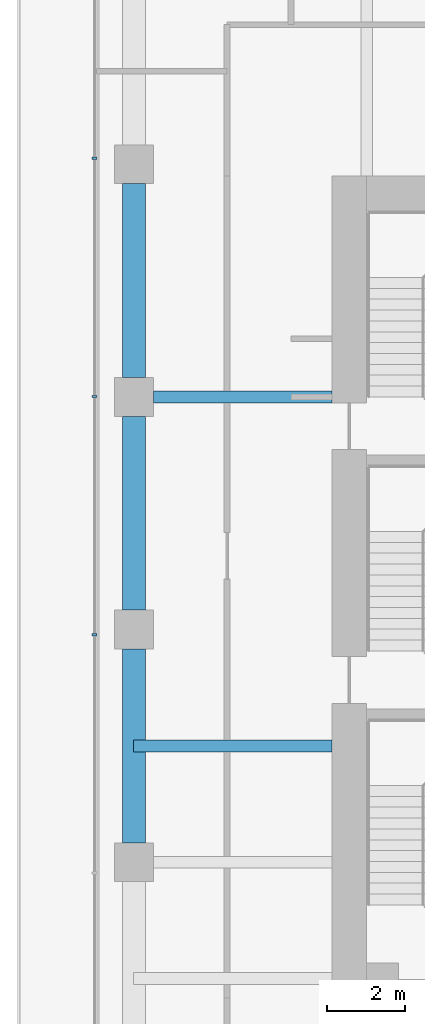
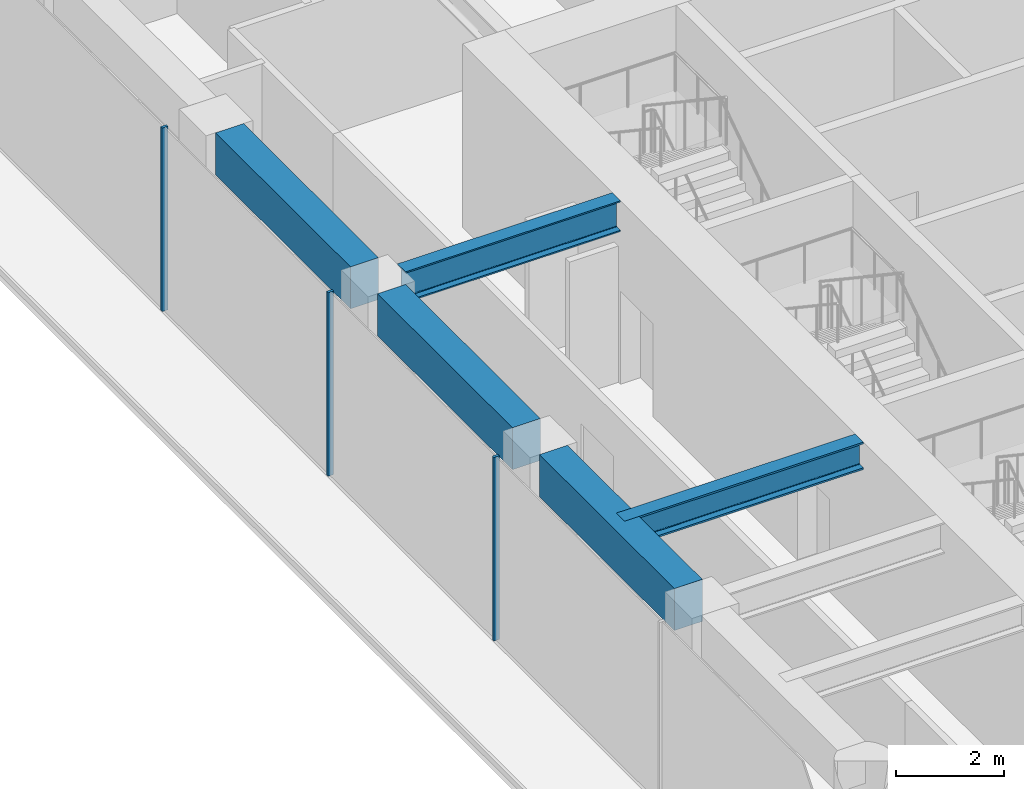
# One storey, part 4 of 24: 5 beams, 3 members, 1 element without a shape of its own.
"""IFC4 building model written with IfcOpenShell, lengths in metres."""

from ifc_helpers import new_model, si_unit, direction, frame, origin, origin_2d, place, context, subcontext, project, spatial, rectangle, i_section, extrude, material, layer, layer_set, material_profile, profile_set, type_object, element, aggregate, save


model = new_model("IFC4")

# Units and contexts
model_context = context("Model", 3, precision=1e-05, world=origin(), true_north=direction((0.0, 1.0)))
body_context = subcontext(model_context, "Body", "Model", "MODEL_VIEW")
ifc_project = project(units=[si_unit("LENGTHUNIT", "METRE"), si_unit("AREAUNIT", "SQUARE_METRE"), si_unit("VOLUMEUNIT", "CUBIC_METRE"), si_unit("PLANEANGLEUNIT", "RADIAN"), si_unit("MASSUNIT", "GRAM", prefix="KILO")], contexts=[model_context])

# Site, building, storey
site_placement = place(None, origin())
site = spatial("IfcSite", under=ifc_project, at=site_placement, CompositionType="ELEMENT")
building_placement = place(site_placement, origin())
building = spatial("IfcBuilding", under=site, at=building_placement, Name="Welwitschia Terrace Campus", CompositionType="ELEMENT")
storey_placement = place(building_placement, frame((0.0, 0.0, 24.5)))
storey = spatial("IfcBuildingStorey", under=building, at=storey_placement, Name="L05", CompositionType="ELEMENT", Elevation=24.5)

# Beam
ifc_material_1 = material(Name="Steel S355", Category="steel")
ifc_material_profile_1 = material_profile(ifc_material_1, i_section(OverallWidth=0.304931640625, OverallDepth=0.6201171875, WebThickness=0.02099609375, FlangeThickness=0.0400390625, FilletRadius=0.027099609375, at=origin_2d()))
ifc_profile_set_1 = profile_set([ifc_material_profile_1], Name="Steel S355")
beam_type_1 = type_object("IfcBeamType", Name="Interior girder HE 600 M", PredefinedType="BEAM", material=ifc_profile_set_1)
beam_1_placement = place(storey_placement, frame((-0.010009765625, 11.0, 3.840087890625), z_axis=(1.0, 0.0, 0.0), x_axis=(0.0, 1.0, 0.0)))
element("IfcBeam", 1, at=beam_1_placement, inside=storey, type_object=beam_type_1, Name="Girder GB1", PredefinedType="BEAM", context=body_context, shape_type="SweptSolid", body=[
    extrude(i_section(OverallWidth=0.304931640625, OverallDepth=0.6201171875, WebThickness=0.02099609375, FlangeThickness=0.0400390625, FilletRadius=0.027099609375, at=origin_2d()), origin(), (0.0, 0.0, 1.0), 5.109130859375),
])

# Curtain wall, members
ifc_material_2 = material(Name="Bronze anodised aluminium", Category="aluminium")
ifc_layer = layer(ifc_material_2, 0.1201171875)
ifc_layer_set = layer_set([ifc_layer], Name="Bronze anodised aluminium")
curtain_wall_type = type_object("IfcCurtainWallType", Name="Curtain wall CW2 tower 6000", PredefinedType="NOTDEFINED", material=ifc_layer_set)
curtain_wall_placement = place(storey_placement, origin())
curtain_wall = element("IfcCurtainWall", 2, at=curtain_wall_placement, inside=storey, type_object=curtain_wall_type, Name="CW L05.9.0", PredefinedType="NOTDEFINED")
ifc_material_3 = material(Name="Bronze anodised aluminium", Category="aluminium")
ifc_material_profile_2 = material_profile(ifc_material_3, rectangle(XDim=0.1201171875, YDim=0.06005859375, at=origin_2d()))
ifc_profile_set_2 = profile_set([ifc_material_profile_2], Name="Bronze anodised aluminium")
member_type = type_object("IfcMemberType", Name="Mullion 60x120", PredefinedType="MULLION", material=ifc_profile_set_2)
member_1_placement = place(storey_placement, frame((-1.02001953125, 26.154541015625, 0.0), z_axis=(0.0, 0.0, 1.0), x_axis=(1.0, 0.0, 0.0)))
member_1 = element("IfcMember", 3, at=member_1_placement, type_object=member_type, Name="Mullion L05.9.0.6", PredefinedType="MULLION", context=body_context, shape_type="SweptSolid", body=[
    extrude(rectangle(XDim=0.1201171875, YDim=0.06005859375, at=origin_2d()), origin(), (0.0, 0.0, 1.0), 4.14990234375),
])
member_2_placement = place(storey_placement, frame((-1.02001953125, 20.01025390625, 0.0), z_axis=(0.0, 0.0, 1.0), x_axis=(1.0, 0.0, 0.0)))
member_2 = element("IfcMember", 4, at=member_2_placement, type_object=member_type, Name="Mullion L05.9.0.7", PredefinedType="MULLION", context=body_context, shape_type="SweptSolid", body=[
    extrude(rectangle(XDim=0.1201171875, YDim=0.06005859375, at=origin_2d()), origin(), (0.0, 0.0, 1.0), 4.14990234375),
])
member_3_placement = place(storey_placement, frame((-1.02001953125, 13.865966796875, 0.0), z_axis=(0.0, 0.0, 1.0), x_axis=(1.0, 0.0, 0.0)))
member_3 = element("IfcMember", 5, at=member_3_placement, type_object=member_type, Name="Mullion L05.9.0.8", PredefinedType="MULLION", context=body_context, shape_type="SweptSolid", body=[
    extrude(rectangle(XDim=0.1201171875, YDim=0.06005859375, at=origin_2d()), origin(), (0.0, 0.0, 1.0), 4.14990234375),
])
aggregate(curtain_wall, [member_1, member_2, member_3])

# Beams
ifc_material_4 = material(Name="Steel S355", Category="steel")
ifc_material_profile_3 = material_profile(ifc_material_4, i_section(OverallWidth=0.300048828125, OverallDepth=0.699951171875, WebThickness=0.01708984375, FlangeThickness=0.031982421875, FilletRadius=0.027099609375, at=origin_2d()))
ifc_profile_set_3 = profile_set([ifc_material_profile_3], Name="Steel S355")
beam_type_2 = type_object("IfcBeamType", Name="Primary beam HE 700 B", PredefinedType="BEAM", material=ifc_profile_set_3)
beam_2_placement = place(storey_placement, frame((0.50048828125, 20.0, 3.800048828125), z_axis=(1.0, 0.0, 0.0), x_axis=(0.0, 1.0, 0.0)))
element("IfcBeam", 6, at=beam_2_placement, inside=storey, type_object=beam_type_2, Name="Primary beam PB1", PredefinedType="BEAM", context=body_context, shape_type="SweptSolid", body=[
    extrude(i_section(OverallWidth=0.300048828125, OverallDepth=0.699951171875, WebThickness=0.01708984375, FlangeThickness=0.031982421875, FilletRadius=0.027099609375, at=origin_2d()), origin(), (0.0, 0.0, 1.0), 4.599609375),
])
ifc_material_5 = material(Name="Concrete C60/75", Category="concrete")
ifc_material_profile_4 = material_profile(ifc_material_5, rectangle(XDim=0.60009765625, YDim=0.949951171875, at=origin_2d()))
ifc_profile_set_4 = profile_set([ifc_material_profile_4], Name="Concrete C60/75")
beam_type_3 = type_object("IfcBeamType", Name="Ring spandrel 600x950", PredefinedType="SPANDREL", material=ifc_profile_set_4)
for number, where, z_axis, x_axis, name in (
    (7, (0.0, 25.49951171875, 3.675048828125), (0.0, -1.0, 0.0), (1.0, 0.0, 0.0), "Spandrel SP1"),
    (8, (0.0, 19.49951171875, 3.675048828125), (0.0, -1.0, 0.0), (1.0, 0.0, 0.0), "Spandrel SP1"),
    (9, (0.0, 13.49951171875, 3.675048828125), (0.0, -1.0, 0.0), (1.0, 0.0, 0.0), "Spandrel SP1"),
):
    element("IfcBeam", number, at=place(storey_placement, frame(where, z_axis=z_axis, x_axis=x_axis)), inside=storey, type_object=beam_type_3, Name=name, PredefinedType="SPANDREL", context=body_context, shape_type="SweptSolid", body=[
        extrude(rectangle(XDim=0.60009765625, YDim=0.949951171875, at=origin_2d()), origin(), (0.0, 0.0, 1.0), 4.9990234375),
    ])

save(model, "model.ifc")
